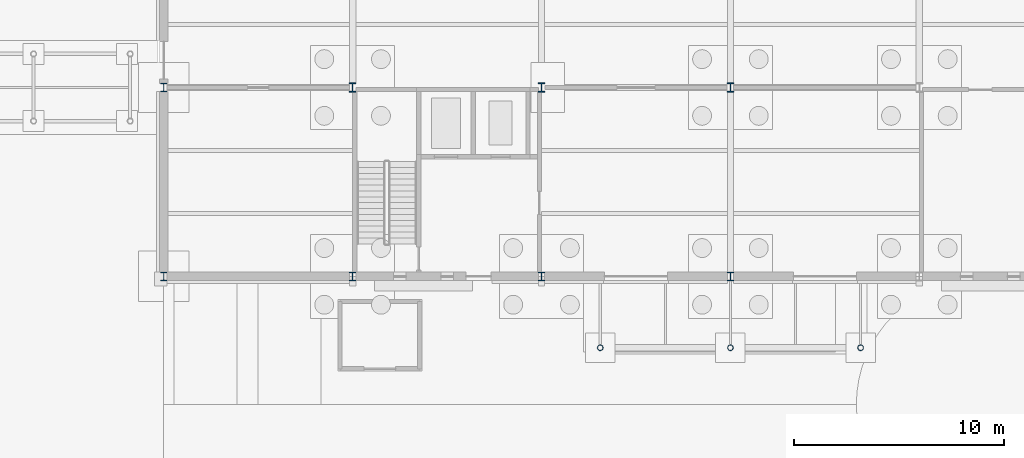
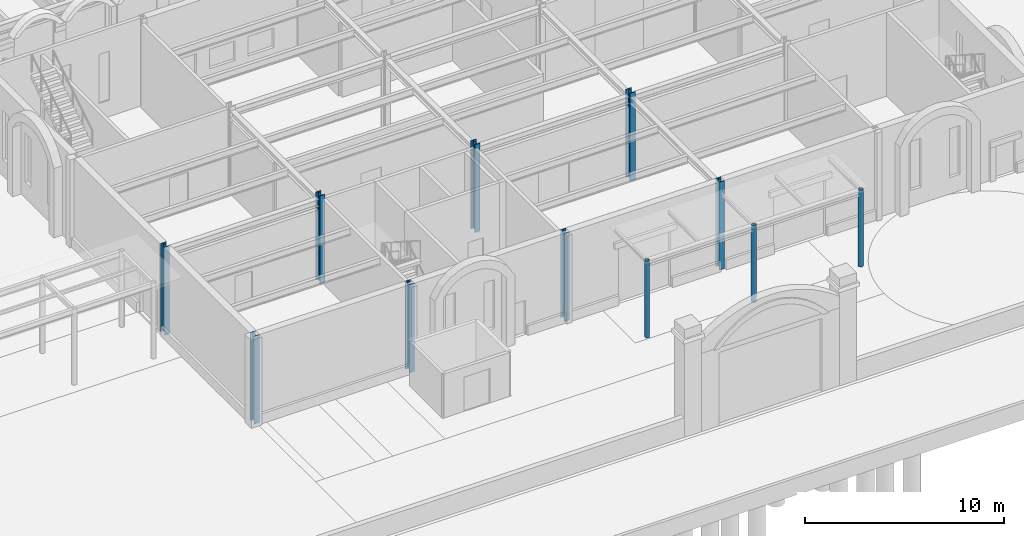
# One storey, part 9 of 126: 11 columns.
"""IFC4 building model written with IfcOpenShell, lengths in metres."""

from ifc_helpers import new_model, si_unit, direction, frame, origin, origin_2d, place, context, subcontext, project, spatial, hollow_circle, i_section, extrude, material, material_profile, profile_set, type_object, element, save


model = new_model("IFC4")

# Units and contexts
model_context = context("Model", 3, precision=1e-05, world=origin(), true_north=direction((0.0, 1.0)))
body_context = subcontext(model_context, "Body", "Model", "MODEL_VIEW")
ifc_project = project(units=[si_unit("LENGTHUNIT", "METRE"), si_unit("AREAUNIT", "SQUARE_METRE"), si_unit("VOLUMEUNIT", "CUBIC_METRE"), si_unit("PLANEANGLEUNIT", "RADIAN"), si_unit("MASSUNIT", "GRAM", prefix="KILO")], contexts=[model_context])

# Site, building, storey
site_placement = place(None, origin())
site = spatial("IfcSite", under=ifc_project, at=site_placement, CompositionType="ELEMENT")
building_placement = place(site_placement, origin())
building = spatial("IfcBuilding", under=site, at=building_placement, Name="Kallimachos Central Library", CompositionType="ELEMENT")
storey_placement = place(building_placement, origin())
storey = spatial("IfcBuildingStorey", under=building, at=storey_placement, Name="L00", CompositionType="ELEMENT", Elevation=0.0)

# Columns
ifc_material_1 = material(Name="Steel S355J2H", Category="steel")
ifc_material_profile_1 = material_profile(ifc_material_1, hollow_circle(Radius=0.136474609375, WallThickness=0.012451171875, at=origin_2d()), Name="CHS 273x12.5")
ifc_profile_set_1 = profile_set([ifc_material_profile_1], Name="Steel S355J2H")
column_type_1 = type_object("IfcColumnType", Name="CHS 273x12.5 column", PredefinedType="COLUMN", material=ifc_profile_set_1)
for number, where, z_axis, x_axis, name in (
    (1, (86.300048828125, 14.60009765625, 0.0), (0.0, 0.0, 1.0), (1.0, 0.0, 0.0), "V5-COL-L00-025"),
    (2, (92.5, 14.60009765625, 0.0), (0.0, 0.0, 1.0), (1.0, 0.0, 0.0), "V5-COL-L00-026"),
    (3, (98.699951171875, 14.60009765625, 0.0), (0.0, 0.0, 1.0), (1.0, 0.0, 0.0), "V5-COL-L00-027"),
):
    element("IfcColumn", number, at=place(storey_placement, frame(where, z_axis=z_axis, x_axis=x_axis)), inside=storey, type_object=column_type_1, Name=name, PredefinedType="COLUMN", context=body_context, shape_type="SweptSolid", body=[
        extrude(hollow_circle(Radius=0.136474609375, WallThickness=0.012451171875, at=origin_2d()), origin(), (0.0, 0.0, 1.0), 4.699951171875),
    ])
ifc_material_2 = material(Name="Steel S355J2", Category="steel")
ifc_material_profile_2 = material_profile(ifc_material_2, i_section(OverallWidth=0.300048828125, OverallDepth=0.39990234375, WebThickness=0.013427734375, FlangeThickness=0.02392578125, FilletRadius=0.027099609375, at=origin_2d()), Name="HEB 400")
ifc_profile_set_2 = profile_set([ifc_material_profile_2], Name="Steel S355J2")
column_type_2 = type_object("IfcColumnType", Name="HEB 400 column", PredefinedType="COLUMN", material=ifc_profile_set_2)
for number, where, z_axis, x_axis, name in (
    (4, (65.5, 18.0, 0.0), (0.0, 0.0, 1.0), (1.0, 0.0, 0.0), "V5-COL-L00-001"),
    (5, (74.5, 18.0, 0.0), (0.0, 0.0, 1.0), (1.0, 0.0, 0.0), "V5-COL-L00-002"),
    (6, (83.5, 18.0, 0.0), (0.0, 0.0, 1.0), (1.0, 0.0, 0.0), "V5-COL-L00-003"),
    (7, (92.5, 18.0, 0.0), (0.0, 0.0, 1.0), (1.0, 0.0, 0.0), "V5-COL-L00-004"),
    (8, (65.5, 27.0, 0.0), (0.0, 0.0, 1.0), (1.0, 0.0, 0.0), "V5-COL-L00-007"),
):
    element("IfcColumn", number, at=place(storey_placement, frame(where, z_axis=z_axis, x_axis=x_axis)), inside=storey, type_object=column_type_2, Name=name, PredefinedType="COLUMN", context=body_context, shape_type="SweptSolid", body=[
        extrude(i_section(OverallWidth=0.300048828125, OverallDepth=0.39990234375, WebThickness=0.013427734375, FlangeThickness=0.02392578125, FilletRadius=0.027099609375, at=origin_2d()), origin(), (0.0, 0.0, 1.0), 5.39990234375),
    ])
ifc_material_3 = material(Name="Steel S355J2", Category="steel")
ifc_material_profile_3 = material_profile(ifc_material_3, i_section(OverallWidth=0.306884765625, OverallDepth=0.431884765625, WebThickness=0.02099609375, FlangeThickness=0.0400390625, FilletRadius=0.027099609375, at=origin_2d()), Name="HEM 400")
ifc_profile_set_3 = profile_set([ifc_material_profile_3], Name="Steel S355J2")
column_type_3 = type_object("IfcColumnType", Name="HEM 400 column", PredefinedType="COLUMN", material=ifc_profile_set_3)
for number, where, z_axis, x_axis, name in (
    (9, (74.5, 27.0, 0.0), (0.0, 0.0, 1.0), (1.0, 0.0, 0.0), "V5-COL-L00-008"),
    (10, (83.5, 27.0, 0.0), (0.0, 0.0, 1.0), (1.0, 0.0, 0.0), "V5-COL-L00-009"),
    (11, (92.5, 27.0, 0.0), (0.0, 0.0, 1.0), (1.0, 0.0, 0.0), "V5-COL-L00-010"),
):
    element("IfcColumn", number, at=place(storey_placement, frame(where, z_axis=z_axis, x_axis=x_axis)), inside=storey, type_object=column_type_3, Name=name, PredefinedType="COLUMN", context=body_context, shape_type="SweptSolid", body=[
        extrude(i_section(OverallWidth=0.306884765625, OverallDepth=0.431884765625, WebThickness=0.02099609375, FlangeThickness=0.0400390625, FilletRadius=0.027099609375, at=origin_2d()), origin(), (0.0, 0.0, 1.0), 5.39990234375),
    ])

save(model, "model.ifc")
